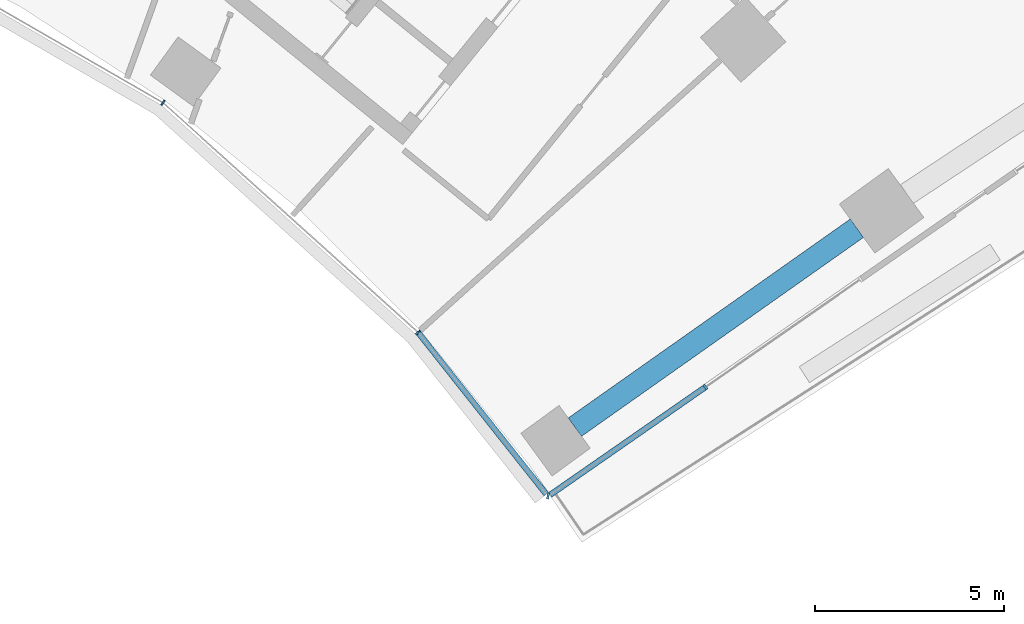
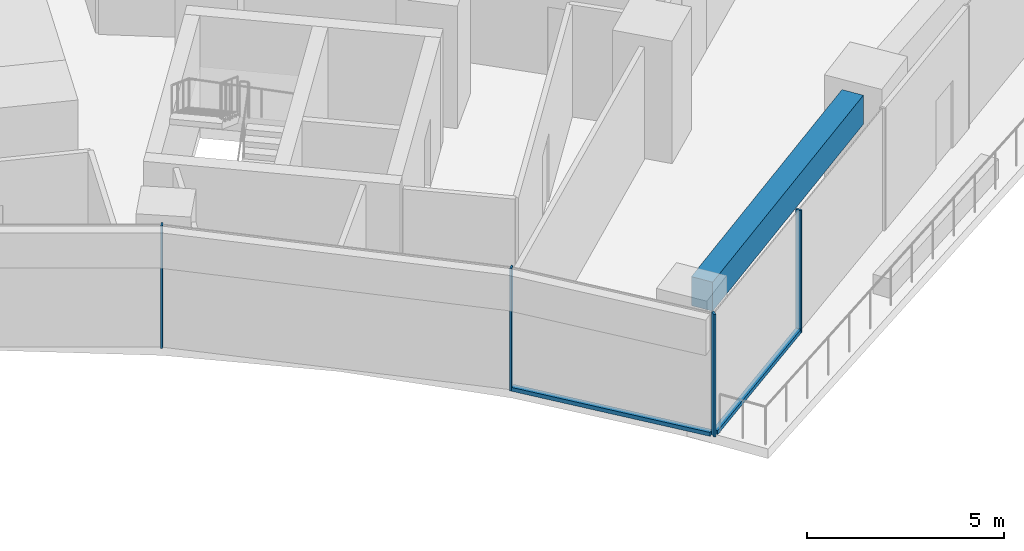
# One storey, part 8 of 21: 6 members, 1 beam, 2 elements without a shape of their own.
"""IFC4 building model written with IfcOpenShell, lengths in metres."""

from ifc_helpers import new_model, si_unit, direction, frame, origin, origin_2d, place, context, subcontext, project, spatial, rectangle, extrude, material, layer, layer_set, material_profile, profile_set, type_object, element, aggregate, save


model = new_model("IFC4")

# Units and contexts
model_context = context("Model", 3, precision=1e-05, world=origin(), true_north=direction((0.0, 1.0)))
body_context = subcontext(model_context, "Body", "Model", "MODEL_VIEW")
ifc_project = project(units=[si_unit("LENGTHUNIT", "METRE"), si_unit("AREAUNIT", "SQUARE_METRE"), si_unit("VOLUMEUNIT", "CUBIC_METRE"), si_unit("PLANEANGLEUNIT", "RADIAN"), si_unit("MASSUNIT", "GRAM", prefix="KILO")], contexts=[model_context])

# Site, building, storey
site_placement = place(None, origin())
site = spatial("IfcSite", under=ifc_project, at=site_placement, CompositionType="ELEMENT")
building_placement = place(site_placement, origin())
building = spatial("IfcBuilding", under=site, at=building_placement, Name="Stone Belt Terrace Tower", CompositionType="ELEMENT")
storey_placement = place(building_placement, frame((0.0, 0.0, 56.60009765625)))
storey = spatial("IfcBuildingStorey", under=building, at=storey_placement, Name="L13", CompositionType="ELEMENT", Elevation=56.60009765625)

# Curtain wall, members
ifc_material_1 = material(Name="Aluminium 6063-T6 anodised frame", Category="aluminium")
ifc_layer_1 = layer(ifc_material_1, 0.14990234375)
ifc_layer_set_1 = layer_set([ifc_layer_1], Name="CW-B unitised concave-face curtain wall")
curtain_wall_type_1 = type_object("IfcCurtainWallType", Name="CW-B unitised concave-face curtain wall", PredefinedType="NOTDEFINED", material=ifc_layer_set_1)
curtain_wall_1_placement = place(storey_placement, origin())
curtain_wall_1 = element("IfcCurtainWall", 1, at=curtain_wall_1_placement, inside=storey, type_object=curtain_wall_type_1, Name="CW-B concave face L13", PredefinedType="NOTDEFINED")
ifc_material_profile_1 = material_profile(ifc_material_1, rectangle(XDim=0.14990234375, YDim=0.050048828125, at=origin_2d()), Name="Aluminium 6063-T6 50x150")
ifc_profile_set_1 = profile_set([ifc_material_profile_1], Name="Aluminium 6063-T6 anodised frame")
member_type_1 = type_object("IfcMemberType", Name="CW-B mullion 50 x 150", PredefinedType="MULLION", material=ifc_profile_set_1)
member_1_placement = place(storey_placement, frame((25.5244140625, 35.13134765625, 0.0), z_axis=(0.0, 0.0, 1.0), x_axis=(0.587785252292, 0.809016994375, 0.0)))
member_1 = element("IfcMember", 2, at=member_1_placement, type_object=member_type_1, Name="CW-B mullion 9", PredefinedType="MULLION", context=body_context, shape_type="SweptSolid", body=[
    extrude(rectangle(XDim=0.14990234375, YDim=0.050048828125, at=origin_2d()), origin(), (0.0, 0.0, 1.0), 3.7998046875),
])
member_2_placement = place(storey_placement, frame((32.27197265625, 29.0556640625, 0.0), z_axis=(0.0, 0.0, 1.0), x_axis=(0.729005355149, 0.684507992768, 0.0)))
member_2 = element("IfcMember", 3, at=member_2_placement, type_object=member_type_1, Name="CW-B mullion 10", PredefinedType="MULLION", context=body_context, shape_type="SweptSolid", body=[
    extrude(rectangle(XDim=0.14990234375, YDim=0.050048828125, at=origin_2d()), origin(), (0.0, 0.0, 1.0), 3.7998046875),
])
ifc_material_profile_2 = material_profile(ifc_material_1, rectangle(XDim=0.14990234375, YDim=0.1201171875, at=origin_2d()), Name="Aluminium 6063-T6 150x120")
ifc_profile_set_2 = profile_set([ifc_material_profile_2], Name="Aluminium 6063-T6 anodised frame")
member_type_2 = type_object("IfcMemberType", Name="CW-B transom 120 x 150", PredefinedType="USERDEFINED", material=ifc_profile_set_2)
member_3_placement = place(storey_placement, frame((32.291259765625, 29.03125, 0.059814453125), z_axis=(0.621067582293, -0.783757014785, 0.0), x_axis=(0.783757014785, 0.621067582293, 0.0)))
member_3 = element("IfcMember", 4, at=member_3_placement, type_object=member_type_2, Name="CW-B transom 10.1", ObjectType="TRANSOM", PredefinedType="USERDEFINED", context=body_context, shape_type="SweptSolid", body=[
    extrude(rectangle(XDim=0.14990234375, YDim=0.1201171875, at=origin_2d()), origin(), (0.0, 0.0, 1.0), 5.435302734375),
])
aggregate(curtain_wall_1, [member_1, member_2, member_3])

ifc_layer_2 = layer(ifc_material_1, 0.14990234375)
ifc_layer_set_2 = layer_set([ifc_layer_2], Name="CW-C stick curtain wall, horn ends and notches")
curtain_wall_type_2 = type_object("IfcCurtainWallType", Name="CW-C stick curtain wall, horn ends and notches", PredefinedType="NOTDEFINED", material=ifc_layer_set_2)
curtain_wall_2_placement = place(storey_placement, origin())
curtain_wall_2 = element("IfcCurtainWall", 5, at=curtain_wall_2_placement, inside=storey, type_object=curtain_wall_type_2, Name="CW-C end face L13", PredefinedType="NOTDEFINED")
ifc_material_profile_3 = material_profile(ifc_material_1, rectangle(XDim=0.14990234375, YDim=0.06005859375, at=origin_2d()), Name="Aluminium 6063-T6 60x150")
ifc_profile_set_3 = profile_set([ifc_material_profile_3], Name="Aluminium 6063-T6 anodised frame")
member_type_3 = type_object("IfcMemberType", Name="CW-C mullion 60 x 150", PredefinedType="MULLION", material=ifc_profile_set_3)
member_4_placement = place(storey_placement, frame((35.710205078125, 24.716552734375, 0.0), z_axis=(0.0, 0.0, 1.0), x_axis=(0.146242262315, 0.989248806273, 0.0)))
member_4 = element("IfcMember", 6, at=member_4_placement, type_object=member_type_3, Name="CW-C mullion 1", PredefinedType="MULLION", context=body_context, shape_type="SweptSolid", body=[
    extrude(rectangle(XDim=0.14990234375, YDim=0.06005859375, at=origin_2d()), origin(), (0.0, 0.0, 1.0), 3.7998046875),
])
member_5_placement = place(storey_placement, frame((39.87451171875, 27.609375, 0.0), z_axis=(0.0, 0.0, 1.0), x_axis=(-0.570537322339, 0.821271674793, 0.0)))
member_5 = element("IfcMember", 7, at=member_5_placement, type_object=member_type_3, Name="CW-C mullion 2", PredefinedType="MULLION", context=body_context, shape_type="SweptSolid", body=[
    extrude(rectangle(XDim=0.14990234375, YDim=0.06005859375, at=origin_2d()), origin(), (0.0, 0.0, 1.0), 3.7998046875),
])
ifc_material_profile_4 = material_profile(ifc_material_1, rectangle(XDim=0.14990234375, YDim=0.1201171875, at=origin_2d()), Name="Aluminium 6063-T6 150x120")
ifc_profile_set_4 = profile_set([ifc_material_profile_4], Name="Aluminium 6063-T6 anodised frame")
member_type_4 = type_object("IfcMemberType", Name="CW-C transom 120 x 150", PredefinedType="USERDEFINED", material=ifc_profile_set_4)
member_6_placement = place(storey_placement, frame((35.7705078125, 24.75830078125, 0.059814453125), z_axis=(0.821265688171, 0.57054593981, 0.0), x_axis=(-0.57054593981, 0.821265688171, 0.0)))
member_6 = element("IfcMember", 8, at=member_6_placement, type_object=member_type_4, Name="CW-C transom 1.1", ObjectType="TRANSOM", PredefinedType="USERDEFINED", context=body_context, shape_type="SweptSolid", body=[
    extrude(rectangle(XDim=0.14990234375, YDim=0.1201171875, at=origin_2d()), origin(), (0.0, 0.0, 1.0), 4.967041015625),
])
aggregate(curtain_wall_2, [member_4, member_5, member_6])

# Beam
ifc_material_2 = material(Name="Concrete B60", Category="concrete")
ifc_material_profile_5 = material_profile(ifc_material_2, rectangle(XDim=0.60009765625, YDim=0.89990234375, at=origin_2d()), Name="RC 600x900")
ifc_profile_set_5 = profile_set([ifc_material_profile_5], Name="Concrete B60")
beam_type = type_object("IfcBeamType", Name="Edge beam RC 600x900 B60", PredefinedType="SPANDREL", material=ifc_profile_set_5)
beam_placement = place(storey_placement, frame((36.420654296875, 26.548583984375, 3.02978515625), z_axis=(0.817201948871, 0.576351433381, 0.0), x_axis=(-0.576351433381, 0.817201948871, 0.0)))
element("IfcBeam", 9, at=beam_placement, inside=storey, type_object=beam_type, Name="Edge beam L13 B P to Q", PredefinedType="SPANDREL", context=body_context, shape_type="SweptSolid", body=[
    extrude(rectangle(XDim=0.60009765625, YDim=0.89990234375, at=origin_2d()), origin(), (0.0, 0.0, 1.0), 9.131103515625),
])

save(model, "model.ifc")
